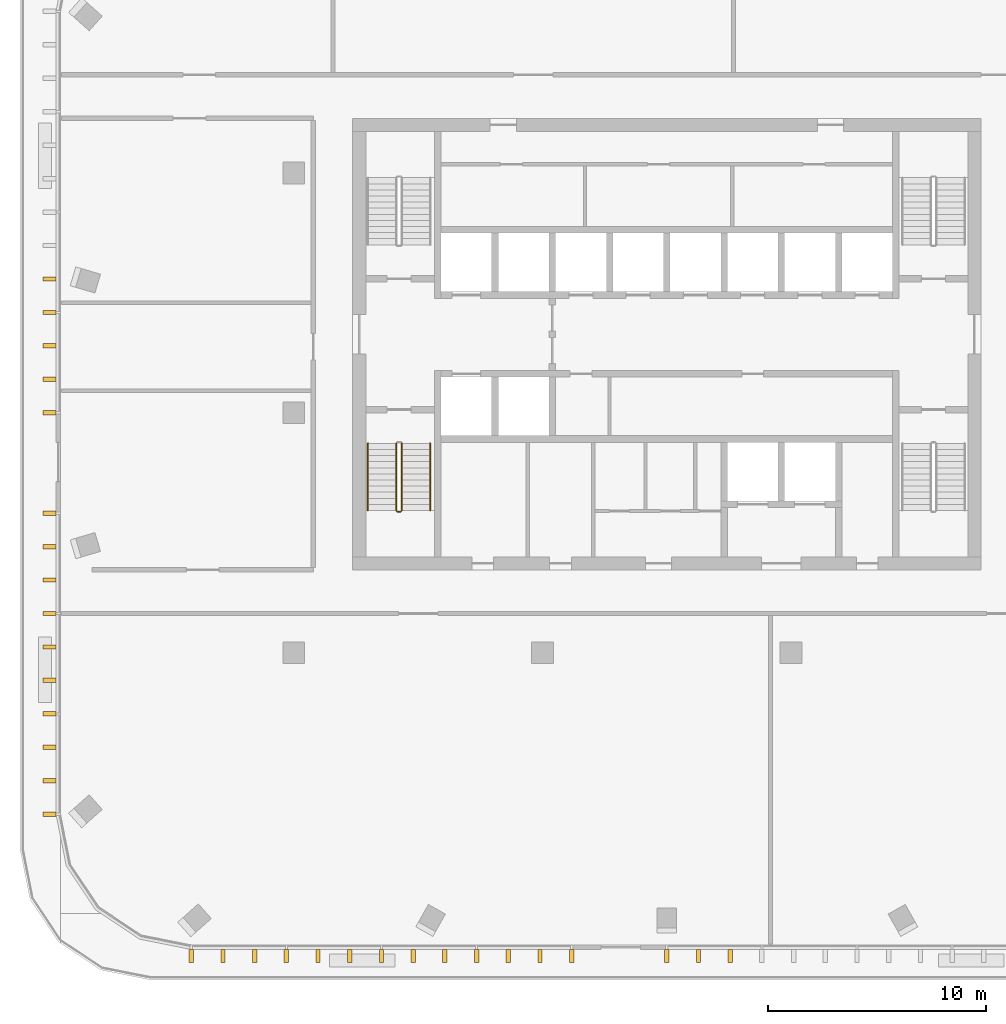
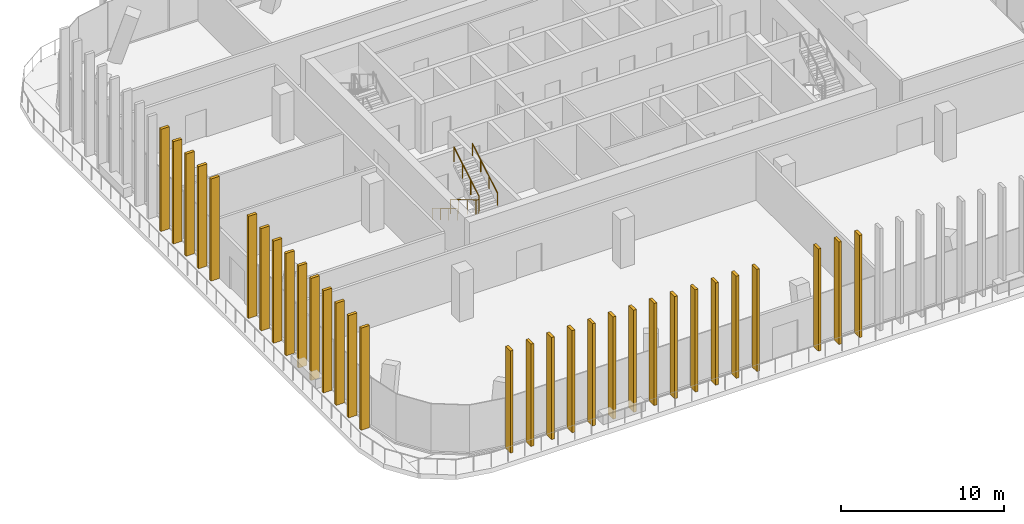
# One storey, part 11 of 16: 31 shading devices, 4 railings.
"""IFC4 building model written with IfcOpenShell, lengths in metres."""

from ifc_helpers import new_model, si_unit, direction, frame, origin, origin_2d, place, context, subcontext, project, spatial, rectangle, circle, extrude, material, type_object, element, save


model = new_model("IFC4")

# Units and contexts
model_context = context("Model", 3, precision=1e-05, world=origin(), true_north=direction((0.0, 1.0)))
body_context = subcontext(model_context, "Body", "Model", "MODEL_VIEW")
ifc_project = project(units=[si_unit("LENGTHUNIT", "METRE"), si_unit("AREAUNIT", "SQUARE_METRE"), si_unit("VOLUMEUNIT", "CUBIC_METRE"), si_unit("PLANEANGLEUNIT", "RADIAN"), si_unit("MASSUNIT", "GRAM", prefix="KILO")], contexts=[model_context])

# Site, building, storey
site_placement = place(None, origin())
site = spatial("IfcSite", under=ifc_project, at=site_placement, CompositionType="ELEMENT")
building_placement = place(site_placement, origin())
building = spatial("IfcBuilding", under=site, at=building_placement, Name="Mopane Tessera Tower", CompositionType="ELEMENT")
storey_placement = place(building_placement, frame((0.0, 0.0, 321.39990234375)))
storey = spatial("IfcBuildingStorey", under=building, at=storey_placement, Name="L70", CompositionType="ELEMENT", Elevation=321.39990234375)

# Shading devices
ifc_material_1 = material(Name="Glazed ceramic tile")
shading_device_type = type_object("IfcShadingDeviceType", Name="Ceramic tile fin 600 x 200 mm", PredefinedType="USERDEFINED", material=ifc_material_1)
for number, where, z_axis, x_axis, name in (
    (1, (-21.800048828125, -24.89990234375, 0.000244140625), (0.0, 0.0, 1.0), (1.0, 0.0, 0.0), "e:fin:L70:S:0:0"),
    (2, (-20.3466796875, -24.89990234375, 0.000244140625), (0.0, 0.0, 1.0), (1.0, 0.0, 0.0), "e:fin:L70:S:0:1"),
    (3, (-18.893310546875, -24.89990234375, 0.000244140625), (0.0, 0.0, 1.0), (1.0, 0.0, 0.0), "e:fin:L70:S:0:2"),
    (4, (-17.43994140625, -24.89990234375, 0.000244140625), (0.0, 0.0, 1.0), (1.0, 0.0, 0.0), "e:fin:L70:S:1:0"),
    (5, (-15.986572265625, -24.89990234375, 0.000244140625), (0.0, 0.0, 1.0), (1.0, 0.0, 0.0), "e:fin:L70:S:1:1"),
    (6, (-14.533447265625, -24.89990234375, 0.000244140625), (0.0, 0.0, 1.0), (1.0, 0.0, 0.0), "e:fin:L70:S:1:2"),
    (7, (-13.080078125, -24.89990234375, 0.000244140625), (0.0, 0.0, 1.0), (1.0, 0.0, 0.0), "e:fin:L70:S:2:0"),
    (8, (-11.626708984375, -24.89990234375, 0.000244140625), (0.0, 0.0, 1.0), (1.0, 0.0, 0.0), "e:fin:L70:S:2:1"),
    (9, (-10.17333984375, -24.89990234375, 0.000244140625), (0.0, 0.0, 1.0), (1.0, 0.0, 0.0), "e:fin:L70:S:2:2"),
    (10, (-8.719970703125, -24.89990234375, 0.000244140625), (0.0, 0.0, 1.0), (1.0, 0.0, 0.0), "e:fin:L70:S:3:0"),
    (11, (-7.2666015625, -24.89990234375, 0.000244140625), (0.0, 0.0, 1.0), (1.0, 0.0, 0.0), "e:fin:L70:S:3:1"),
    (12, (-5.813232421875, -24.89990234375, 0.000244140625), (0.0, 0.0, 1.0), (1.0, 0.0, 0.0), "e:fin:L70:S:3:2"),
    (13, (-4.360107421875, -24.89990234375, 0.000244140625), (0.0, 0.0, 1.0), (1.0, 0.0, 0.0), "e:fin:L70:S:3:3"),
    (14, (0.0, -24.89990234375, 0.000244140625), (0.0, 0.0, 1.0), (1.0, 0.0, 0.0), "e:fin:L70:S:5:0"),
    (15, (1.453369140625, -24.89990234375, 0.000244140625), (0.0, 0.0, 1.0), (1.0, 0.0, 0.0), "e:fin:L70:S:5:1"),
    (16, (2.90673828125, -24.89990234375, 0.000244140625), (0.0, 0.0, 1.0), (1.0, 0.0, 0.0), "e:fin:L70:S:5:2"),
    (17, (-28.300048828125, 6.13330078125, 0.000244140625), (0.0, 0.0, 1.0), (0.0, -1.0, 0.0), "e:fin:L70:W:2:2"),
    (18, (-28.300048828125, 4.60009765625, 0.000244140625), (0.0, 0.0, 1.0), (0.0, -1.0, 0.0), "e:fin:L70:W:3:0"),
    (19, (-28.300048828125, 3.066650390625, 0.000244140625), (0.0, 0.0, 1.0), (0.0, -1.0, 0.0), "e:fin:L70:W:3:1"),
    (20, (-28.300048828125, 1.533447265625, 0.000244140625), (0.0, 0.0, 1.0), (0.0, -1.0, 0.0), "e:fin:L70:W:3:2"),
    (21, (-28.300048828125, 0.0, 0.000244140625), (0.0, 0.0, 1.0), (0.0, -1.0, 0.0), "e:fin:L70:W:3:3"),
    (22, (-28.300048828125, -4.60009765625, 0.000244140625), (0.0, 0.0, 1.0), (0.0, -1.0, 0.0), "e:fin:L70:W:5:0"),
    (23, (-28.300048828125, -6.13330078125, 0.000244140625), (0.0, 0.0, 1.0), (0.0, -1.0, 0.0), "e:fin:L70:W:5:1"),
    (24, (-28.300048828125, -7.666748046875, 0.000244140625), (0.0, 0.0, 1.0), (0.0, -1.0, 0.0), "e:fin:L70:W:5:2"),
    (25, (-28.300048828125, -9.199951171875, 0.000244140625), (0.0, 0.0, 1.0), (0.0, -1.0, 0.0), "e:fin:L70:W:6:0"),
    (26, (-28.300048828125, -10.7333984375, 0.000244140625), (0.0, 0.0, 1.0), (0.0, -1.0, 0.0), "e:fin:L70:W:6:1"),
    (27, (-28.300048828125, -12.2666015625, 0.000244140625), (0.0, 0.0, 1.0), (0.0, -1.0, 0.0), "e:fin:L70:W:6:2"),
    (28, (-28.300048828125, -13.800048828125, 0.000244140625), (0.0, 0.0, 1.0), (0.0, -1.0, 0.0), "e:fin:L70:W:7:0"),
    (29, (-28.300048828125, -15.333251953125, 0.000244140625), (0.0, 0.0, 1.0), (0.0, -1.0, 0.0), "e:fin:L70:W:7:1"),
    (30, (-28.300048828125, -16.86669921875, 0.000244140625), (0.0, 0.0, 1.0), (0.0, -1.0, 0.0), "e:fin:L70:W:7:2"),
    (31, (-28.300048828125, -18.39990234375, 0.000244140625), (0.0, 0.0, 1.0), (0.0, -1.0, 0.0), "e:fin:L70:W:7:3"),
):
    element("IfcShadingDevice", number, at=place(storey_placement, frame(where, z_axis=z_axis, x_axis=x_axis)), inside=storey, type_object=shading_device_type, Name=name, ObjectType="FIN", PredefinedType="USERDEFINED", context=body_context, shape_type="SweptSolid", body=[
        extrude(rectangle(XDim=0.199951171875, YDim=0.60009765625, at=origin_2d()), origin(), (0.0, 0.0, 1.0), 7.64990234375),
    ])

# Railings
ifc_material_2 = material(Name="Powder-coated steel balustrade", Category="steel")
railing_type_1 = type_object("IfcRailingType", Name="Escape stair guard 1100 mm", PredefinedType="GUARDRAIL", material=ifc_material_2)
railing_1_placement = place(storey_placement, frame((-12.39990234375, -1.39990234375, 0.166748046875)))
element("IfcRailing", 32, at=railing_1_placement, inside=storey, type_object=railing_type_1, Name="L70 ST1 stair guard 1", PredefinedType="GUARDRAIL", context=body_context, shape_type="SweptSolid", body=[
    extrude(circle(Radius=0.02392578125, at=origin_2d()), frame((0.0, 0.0, 1.076171875), z_axis=(0.0, -0.859308565015, 0.511457515432), x_axis=(1.0, 0.0, 0.0)), (0.0, 0.0, 1.0), 3.58447265625),
    extrude(circle(Radius=0.02392578125, at=origin_2d()), frame((0.0, -3.080078125, 2.9091796875), z_axis=(0.705375805398, -0.708833529934, 0.0), x_axis=(0.708833529934, 0.705375805398, 0.0)), (0.0, 0.0, 1.0), 0.070556640625),
    extrude(circle(Radius=0.02392578125, at=origin_2d()), frame((0.0498046875, -3.130126953125, 2.9091796875), z_axis=(1.0, 0.0, 0.0), x_axis=(0.0, 1.0, 0.0)), (0.0, 0.0, 1.0), 0.150146484375),
    extrude(circle(Radius=0.02099609375, at=origin_2d()), origin(), (0.0, 0.0, 1.0), 1.052001953125),
    extrude(circle(Radius=0.02099609375, at=origin_2d()), frame((0.0, -1.026611328125, 0.611083984375)), (0.0, 0.0, 1.0), 1.052001953125),
    extrude(circle(Radius=0.02099609375, at=origin_2d()), frame((0.0, -2.053466796875, 1.22216796875)), (0.0, 0.0, 1.0), 1.052001953125),
    extrude(circle(Radius=0.02099609375, at=origin_2d()), frame((0.0, -3.080078125, 1.833251953125)), (0.0, 0.0, 1.0), 1.052001953125),
    extrude(circle(Radius=0.02099609375, at=origin_2d()), frame((0.0498046875, -3.130126953125, 1.833251953125)), (0.0, 0.0, 1.0), 1.052001953125),
    extrude(circle(Radius=0.02099609375, at=origin_2d()), frame((0.199951171875, -3.130126953125, 1.833251953125)), (0.0, 0.0, 1.0), 1.052001953125),
])
railing_2_placement = place(storey_placement, frame((-12.14990234375, -4.47998046875, 2.166748046875)))
element("IfcRailing", 33, at=railing_2_placement, inside=storey, type_object=railing_type_1, Name="L70 ST1 stair guard 2", PredefinedType="GUARDRAIL", context=body_context, shape_type="SweptSolid", body=[
    extrude(circle(Radius=0.02392578125, at=origin_2d()), frame((0.0, 0.0, 1.076171875), z_axis=(0.0, 0.859308565015, 0.511457515432), x_axis=(-1.0, 0.0, 0.0)), (0.0, 0.0, 1.0), 3.58447265625),
    extrude(circle(Radius=0.02099609375, at=origin_2d()), origin(), (0.0, 0.0, 1.0), 1.052001953125),
    extrude(circle(Radius=0.02099609375, at=origin_2d()), frame((0.0, 1.026611328125, 0.611083984375)), (0.0, 0.0, 1.0), 1.052001953125),
    extrude(circle(Radius=0.02099609375, at=origin_2d()), frame((0.0, 2.053466796875, 1.22216796875)), (0.0, 0.0, 1.0), 1.052001953125),
    extrude(circle(Radius=0.02099609375, at=origin_2d()), frame((0.0, 3.080078125, 1.833251953125)), (0.0, 0.0, 1.0), 1.052001953125),
])
ifc_material_3 = material(Name="Powder-coated steel balustrade", Category="steel")
railing_type_2 = type_object("IfcRailingType", Name="Escape stair handrail 900 mm", PredefinedType="HANDRAIL", material=ifc_material_3)
railing_3_placement = place(storey_placement, frame((-13.699951171875, -1.39990234375, 0.166748046875)))
element("IfcRailing", 34, at=railing_3_placement, inside=storey, type_object=railing_type_2, Name="L70 ST1 stair handrail 1", PredefinedType="HANDRAIL", context=body_context, shape_type="SweptSolid", body=[
    extrude(circle(Radius=0.02392578125, at=origin_2d()), frame((0.0, 0.0, 0.8759765625), z_axis=(0.0, -0.859308565015, 0.511457515432), x_axis=(1.0, 0.0, 0.0)), (0.0, 0.0, 1.0), 3.58447265625),
    extrude(circle(Radius=0.02099609375, at=origin_2d()), origin(), (0.0, 0.0, 1.0), 0.851806640625),
    extrude(circle(Radius=0.02099609375, at=origin_2d()), frame((0.0, -1.026611328125, 0.611083984375)), (0.0, 0.0, 1.0), 0.851806640625),
    extrude(circle(Radius=0.02099609375, at=origin_2d()), frame((0.0, -2.053466796875, 1.22216796875)), (0.0, 0.0, 1.0), 0.851806640625),
    extrude(circle(Radius=0.02099609375, at=origin_2d()), frame((0.0, -3.080078125, 1.833251953125)), (0.0, 0.0, 1.0), 0.851806640625),
])
railing_4_placement = place(storey_placement, frame((-10.85009765625, -4.47998046875, 2.166748046875)))
element("IfcRailing", 35, at=railing_4_placement, inside=storey, type_object=railing_type_2, Name="L70 ST1 stair handrail 2", PredefinedType="HANDRAIL", context=body_context, shape_type="SweptSolid", body=[
    extrude(circle(Radius=0.02392578125, at=origin_2d()), frame((0.0, 0.0, 0.8759765625), z_axis=(0.0, 0.859308565015, 0.511457515432), x_axis=(-1.0, 0.0, 0.0)), (0.0, 0.0, 1.0), 3.58447265625),
    extrude(circle(Radius=0.02099609375, at=origin_2d()), origin(), (0.0, 0.0, 1.0), 0.851806640625),
    extrude(circle(Radius=0.02099609375, at=origin_2d()), frame((0.0, 1.026611328125, 0.611083984375)), (0.0, 0.0, 1.0), 0.851806640625),
    extrude(circle(Radius=0.02099609375, at=origin_2d()), frame((0.0, 2.053466796875, 1.22216796875)), (0.0, 0.0, 1.0), 0.851806640625),
    extrude(circle(Radius=0.02099609375, at=origin_2d()), frame((0.0, 3.080078125, 1.833251953125)), (0.0, 0.0, 1.0), 0.851806640625),
])

save(model, "model.ifc")
